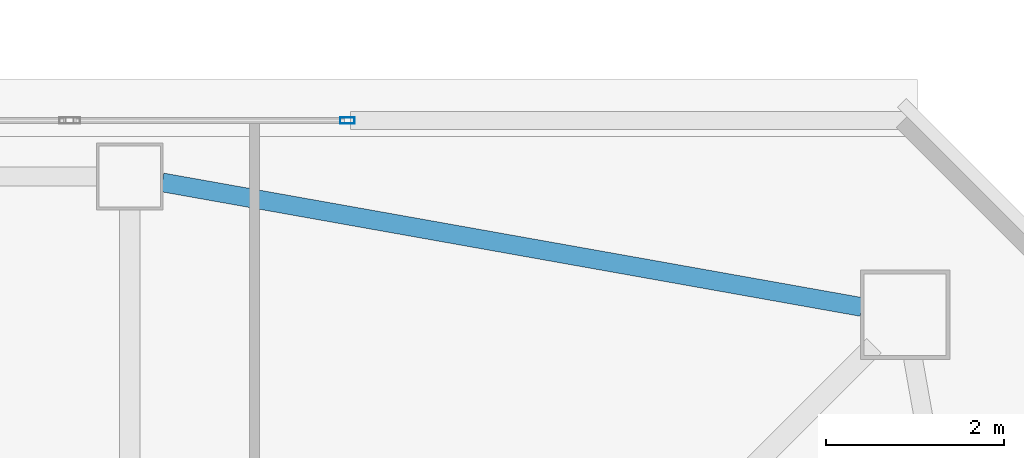
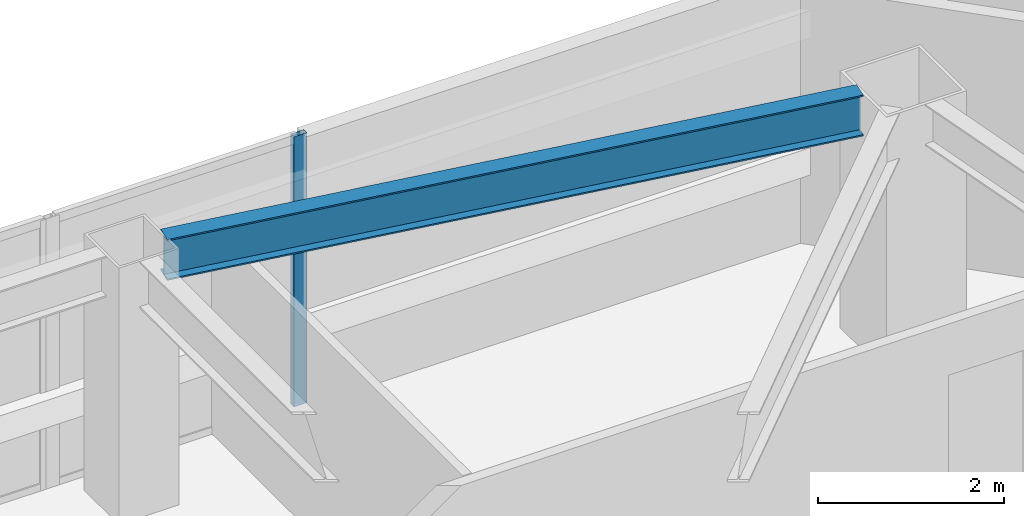
# One storey, part 15 of 39: 1 beam, 1 member, 1 element without a shape of its own.
"""IFC4 building model written with IfcOpenShell, lengths in metres."""

from ifc_helpers import new_model, si_unit, direction, frame, origin, origin_2d, place, context, subcontext, project, spatial, hollow_rectangle, i_section, extrude, material, material_profile, profile_set, type_object, element, aggregate, save


model = new_model("IFC4")

# Units and contexts
model_context = context("Model", 3, precision=1e-05, world=origin(), true_north=direction((0.0, 1.0)))
body_context = subcontext(model_context, "Body", "Model", "MODEL_VIEW")
ifc_project = project(units=[si_unit("LENGTHUNIT", "METRE"), si_unit("AREAUNIT", "SQUARE_METRE"), si_unit("VOLUMEUNIT", "CUBIC_METRE"), si_unit("PLANEANGLEUNIT", "RADIAN"), si_unit("MASSUNIT", "GRAM", prefix="KILO")], contexts=[model_context])

# Site, building, storey
site_placement = place(None, origin())
site = spatial("IfcSite", under=ifc_project, at=site_placement, CompositionType="ELEMENT")
building_placement = place(site_placement, origin())
building = spatial("IfcBuilding", under=site, at=building_placement, Name="Tashvorn Skyway Center", CompositionType="ELEMENT")
storey_placement = place(building_placement, frame((0.0, 0.0, 225.5)))
storey = spatial("IfcBuildingStorey", under=building, at=storey_placement, Name="L61", CompositionType="ELEMENT", Elevation=225.5)

# Beam
ifc_material_1 = material(Name="Steel ASTM A992 Grade 50", Category="steel")
ifc_material_profile_1 = material_profile(ifc_material_1, i_section(OverallWidth=0.2109375, OverallDepth=0.5390625, WebThickness=0.01171875, FlangeThickness=0.018798828125, at=origin_2d()), Name="W21X73")
ifc_profile_set_1 = profile_set([ifc_material_profile_1], Name="Steel ASTM A992 Grade 50")
beam_type = type_object("IfcBeamType", Name="BM-SPANDREL-W21X73", PredefinedType="SPANDREL", material=ifc_profile_set_1)
beam_placement = place(storey_placement, frame((55.61279296875, 46.186767578125, 3.1005859375), z_axis=(-0.984494883191, 0.17541329759, 0.0), x_axis=(-0.17541329759, -0.984494883191, 0.0)))
element("IfcBeam", 1, at=beam_placement, inside=storey, type_object=beam_type, Name="Tower 1 L61 Spandrel Beam 07", PredefinedType="SPANDREL", context=body_context, shape_type="SweptSolid", body=[
    extrude(i_section(OverallWidth=0.2109375, OverallDepth=0.5390625, WebThickness=0.01171875, FlangeThickness=0.018798828125, at=origin_2d()), origin(), (0.0, 0.0, 1.0), 7.97216796875),
])

# Curtain wall, member
ifc_material_2 = material(Name="Thermally broken bronze-anodized aluminium 6063-T6", Category="aluminium")
curtain_wall_type = type_object("IfcCurtainWallType", Name="CW-CW-Z5", PredefinedType="NOTDEFINED", material=ifc_material_2)
curtain_wall_placement = place(storey_placement, origin())
curtain_wall = element("IfcCurtainWall", 2, at=curtain_wall_placement, inside=storey, type_object=curtain_wall_type, Name="Tower 1 L61 North Unitised Curtain Wall Glazing Group 3", PredefinedType="NOTDEFINED")
ifc_material_profile_2 = material_profile(ifc_material_2, hollow_rectangle(XDim=0.070068359375, YDim=0.1650390625, WallThickness=0.00390625, at=origin_2d()), Name="ALU-MULL-70x165")
ifc_profile_set_2 = profile_set([ifc_material_profile_2], Name="Thermally broken bronze-anodized aluminium 6063-T6")
member_type = type_object("IfcMemberType", Name="CWM-CW-Z5", PredefinedType="MULLION", material=ifc_profile_set_2)
member_placement = place(storey_placement, frame((49.8427734375, 48.280029296875, 0.0), z_axis=(0.0, 0.0, 1.0), x_axis=(0.0, 1.0, 0.0)))
member = element("IfcMember", 3, at=member_placement, type_object=member_type, Name="CW-Z5 mullion 2", PredefinedType="MULLION", context=body_context, shape_type="SweptSolid", body=[
    extrude(hollow_rectangle(XDim=0.070068359375, YDim=0.1650390625, WallThickness=0.00390625, at=origin_2d()), origin(), (0.0, 0.0, 1.0), 3.550048828125),
])
aggregate(curtain_wall, [member])

save(model, "model.ifc")
